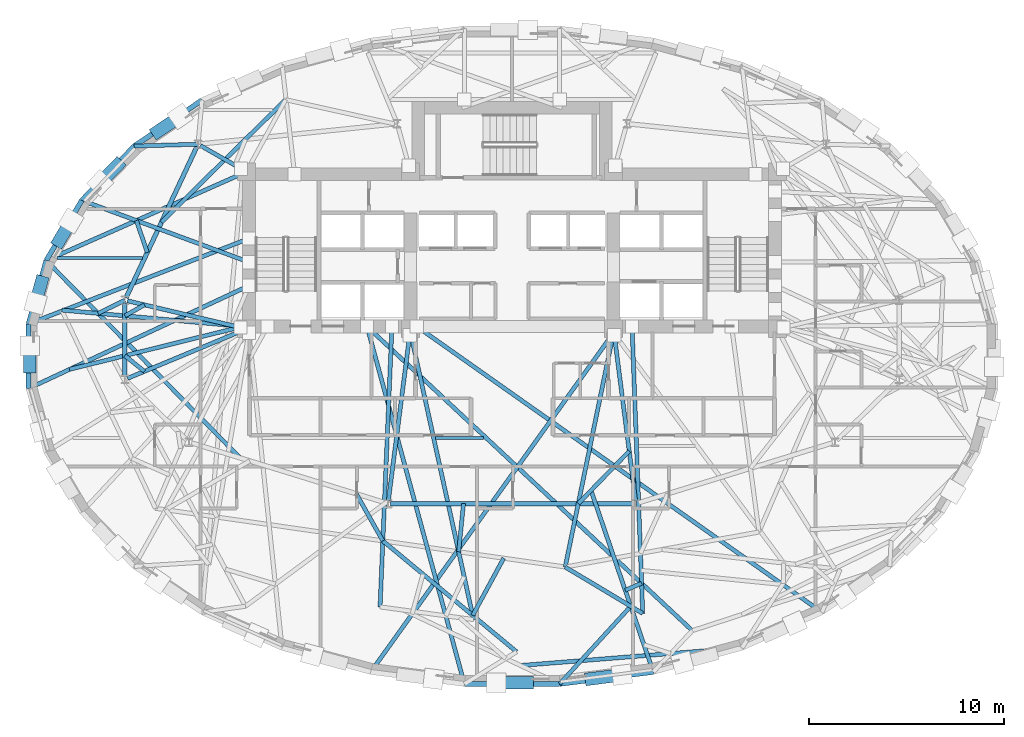
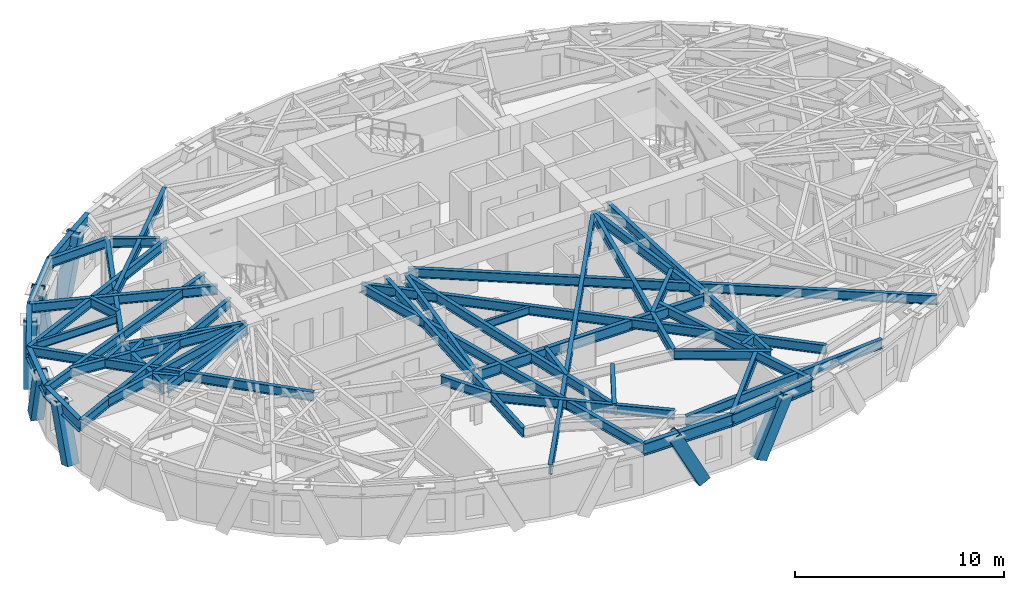
# One storey, part 2 of 15: 48 beams, 7 members.
"""IFC4 building model written with IfcOpenShell, lengths in metres."""

from ifc_helpers import new_model, si_unit, direction, frame, origin, origin_2d, place, context, subcontext, project, spatial, hollow_rectangle, i_section, extrude, material, material_profile, profile_set, type_object, element, save


model = new_model("IFC4")

# Units and contexts
model_context = context("Model", 3, precision=1e-05, world=origin(), true_north=direction((0.0, 1.0)))
body_context = subcontext(model_context, "Body", "Model", "MODEL_VIEW")
ifc_project = project(units=[si_unit("LENGTHUNIT", "METRE"), si_unit("AREAUNIT", "SQUARE_METRE"), si_unit("VOLUMEUNIT", "CUBIC_METRE"), si_unit("PLANEANGLEUNIT", "RADIAN"), si_unit("MASSUNIT", "GRAM", prefix="KILO")], contexts=[model_context])

# Site, building, storey
site_placement = place(None, origin())
site = spatial("IfcSite", under=ifc_project, at=site_placement, CompositionType="ELEMENT")
building_placement = place(site_placement, origin())
building = spatial("IfcBuilding", under=site, at=building_placement, Name="Keldmark Tower", CompositionType="ELEMENT")
storey_placement = place(building_placement, frame((0.0, 0.0, 159.800048828125)))
storey = spatial("IfcBuildingStorey", under=building, at=storey_placement, Name="L43", CompositionType="ELEMENT", Elevation=159.800048828125)

# Beams
ifc_material_1 = material(Name="Steel ASTM A992 Grade 50", Category="steel")
ifc_material_profile_1 = material_profile(ifc_material_1, i_section(OverallWidth=0.153076171875, OverallDepth=0.455078125, WebThickness=0.008056640625, FlangeThickness=0.01318359375, at=origin_2d()), Name="W18X40")
ifc_profile_set_1 = profile_set([ifc_material_profile_1], Name="Steel ASTM A992 Grade 50")
beam_type_1 = type_object("IfcBeamType", Name="Composite Floor Joist W18X40", PredefinedType="JOIST", material=ifc_profile_set_1)
beam_1_placement = place(storey_placement, frame((-3.917236328125, -4.179931640625, 2.79248046875), z_axis=(1.0, 0.0, 0.0), x_axis=(0.0, 1.0, 0.0)))
element("IfcBeam", 1, at=beam_1_placement, inside=storey, type_object=beam_type_1, Name="L43 Composite Floor Joist J03", PredefinedType="JOIST", context=body_context, shape_type="SweptSolid", body=[
    extrude(i_section(OverallWidth=0.153076171875, OverallDepth=0.455078125, WebThickness=0.008056640625, FlangeThickness=0.01318359375, at=origin_2d()), origin(), (0.0, 0.0, 1.0), 2.4501953125),
])
beam_2_placement = place(storey_placement, frame((-23.309326171875, 5.0400390625, 2.79248046875), z_axis=(1.0, 0.0, 0.0), x_axis=(0.0, 1.0, 0.0)))
element("IfcBeam", 2, at=beam_2_placement, inside=storey, type_object=beam_type_1, Name="L43 Composite Floor Joist J06", PredefinedType="JOIST", context=body_context, shape_type="SweptSolid", body=[
    extrude(i_section(OverallWidth=0.153076171875, OverallDepth=0.455078125, WebThickness=0.008056640625, FlangeThickness=0.01318359375, at=origin_2d()), origin(), (0.0, 0.0, 1.0), 4.381591796875),
])

# Members
ifc_material_2 = material(Name="Steel ASTM A572 Grade 50", Category="steel")
ifc_material_profile_2 = material_profile(ifc_material_2, hollow_rectangle(XDim=0.64990234375, YDim=0.64990234375, WallThickness=0.0400390625, at=origin_2d()), Name="BOX650X650X40")
ifc_profile_set_2 = profile_set([ifc_material_profile_2], Name="Steel ASTM A572 Grade 50")
member_type = type_object("IfcMemberType", Name="Diagrid Zone 3 Brace BOX650X650X40", PredefinedType="BRACE", material=ifc_profile_set_2)
member_1_placement = place(storey_placement, frame((-18.1552734375, 11.502197265625, -0.260009765625), z_axis=(0.334787205548, 0.226960005112, 0.914552722964), x_axis=(-0.56113396057, 0.827725001613, 0.0)))
element("IfcMember", 3, at=member_1_placement, inside=storey, type_object=member_type, Name="L43 Perimeter Diagrid Brace 06B", PredefinedType="BRACE", context=body_context, shape_type="SweptSolid", body=[
    extrude(hollow_rectangle(XDim=0.64990234375, YDim=0.64990234375, WallThickness=0.0400390625, at=origin_2d()), origin(), (0.0, 0.0, 1.0), 3.455078125),
])
member_2_placement = place(storey_placement, frame((-20.19921875, 9.7998046875, -0.260009765625), z_axis=(-0.262417053705, -0.271502922249, 0.925971626528), x_axis=(0.719035714481, -0.694973122718, 0.0)))
element("IfcMember", 4, at=member_2_placement, inside=storey, type_object=member_type, Name="L43 Perimeter Diagrid Brace 07A", PredefinedType="BRACE", context=body_context, shape_type="SweptSolid", body=[
    extrude(hollow_rectangle(XDim=0.64990234375, YDim=0.64990234375, WallThickness=0.0400390625, at=origin_2d()), origin(), (0.0, 0.0, 1.0), 3.41259765625),
])
member_3_placement = place(storey_placement, frame((-23.197265625, 5.90380859375, -0.260009765625), z_axis=(0.17963828579, 0.303830871297, 0.935637156127), x_axis=(-0.860800105218, 0.508943198065, 0.0)))
element("IfcMember", 5, at=member_3_placement, inside=storey, type_object=member_type, Name="L43 Perimeter Diagrid Brace 07B", PredefinedType="BRACE", context=body_context, shape_type="SweptSolid", body=[
    extrude(hollow_rectangle(XDim=0.64990234375, YDim=0.64990234375, WallThickness=0.0400390625, at=origin_2d()), origin(), (0.0, 0.0, 1.0), 3.377197265625),
])
member_4_placement = place(storey_placement, frame((-24.1025390625, 3.80419921875, -0.260009765625), z_axis=(-0.090323263856, -0.323154948847, 0.942025788947), x_axis=(0.963087821591, -0.269187384368, 0.0)))
element("IfcMember", 6, at=member_4_placement, inside=storey, type_object=member_type, Name="L43 Perimeter Diagrid Brace 08A", PredefinedType="BRACE", context=body_context, shape_type="SweptSolid", body=[
    extrude(hollow_rectangle(XDim=0.64990234375, YDim=0.64990234375, WallThickness=0.0400390625, at=origin_2d()), origin(), (0.0, 0.0, 1.0), 3.3544921875),
])
member_5_placement = place(storey_placement, frame((-24.706298828125, -0.55712890625, -0.260009765625), z_axis=(0.0, 0.329437190493, 0.944177492593), x_axis=(-1.0, 0.0, 0.0)))
element("IfcMember", 7, at=member_5_placement, inside=storey, type_object=member_type, Name="L43 Perimeter Diagrid Brace 08B", PredefinedType="BRACE", context=body_context, shape_type="SweptSolid", body=[
    extrude(hollow_rectangle(XDim=0.64990234375, YDim=0.64990234375, WallThickness=0.0400390625, at=origin_2d()), origin(), (0.0, 0.0, 1.0), 3.3466796875),
])
member_6_placement = place(storey_placement, frame((0.819091796875, -16.728515625, -0.260009765625), z_axis=(-0.457597906554, 0.0, 0.889159241035), x_axis=(0.0, -1.0, 0.0)))
element("IfcMember", 8, at=member_6_placement, inside=storey, type_object=member_type, Name="L43 Perimeter Diagrid Brace 12B", PredefinedType="BRACE", context=body_context, shape_type="SweptSolid", body=[
    extrude(hollow_rectangle(XDim=0.64990234375, YDim=0.64990234375, WallThickness=0.0400390625, at=origin_2d()), origin(), (0.0, 0.0, 1.0), 3.5537109375),
])
member_7_placement = place(storey_placement, frame((4.032470703125, -16.52294921875, -0.260009765625), z_axis=(0.450833688803, 0.057945651957, 0.890725146417), x_axis=(-0.127481315617, 0.991840972217, 0.0)))
element("IfcMember", 9, at=member_7_placement, inside=storey, type_object=member_type, Name="L43 Perimeter Diagrid Brace 13A", PredefinedType="BRACE", context=body_context, shape_type="SweptSolid", body=[
    extrude(hollow_rectangle(XDim=0.64990234375, YDim=0.64990234375, WallThickness=0.0400390625, at=origin_2d()), origin(), (0.0, 0.0, 1.0), 3.547607421875),
])

# Beams
ifc_material_3 = material(Name="Steel ASTM A992 Grade 50", Category="steel")
ifc_material_profile_3 = material_profile(ifc_material_3, i_section(OverallWidth=0.22900390625, OverallDepth=0.612060546875, WebThickness=0.011962890625, FlangeThickness=0.01953125, at=origin_2d()), Name="W24X84")
ifc_profile_set_3 = profile_set([ifc_material_profile_3], Name="Steel ASTM A992 Grade 50")
beam_type_2 = type_object("IfcBeamType", Name="Primary Floor Girder W24X84", PredefinedType="BEAM", material=ifc_profile_set_3)
beam_3_placement = place(storey_placement, frame((-16.140869140625, 10.734130859375, 2.7138671875), z_axis=(-0.424526823774, -0.905415360979, 0.0), x_axis=(0.905415360979, -0.424526823774, 0.0)))
element("IfcBeam", 10, at=beam_3_placement, inside=storey, type_object=beam_type_2, Name="L43 Floor Ring Girder FG-R05", PredefinedType="BEAM", context=body_context, shape_type="SweptSolid", body=[
    extrude(i_section(OverallWidth=0.22900390625, OverallDepth=0.612060546875, WebThickness=0.011962890625, FlangeThickness=0.01953125, at=origin_2d()), origin(), (0.0, 0.0, 1.0), 8.54638671875),
])
beam_4_placement = place(storey_placement, frame((-19.828369140625, 2.729248046875, 2.7138671875), z_axis=(0.0, -1.0, 0.0), x_axis=(1.0, 0.0, 0.0)))
element("IfcBeam", 11, at=beam_4_placement, inside=storey, type_object=beam_type_2, Name="L43 Floor Ring Girder FG-R06", PredefinedType="BEAM", context=body_context, shape_type="SweptSolid", body=[
    extrude(i_section(OverallWidth=0.22900390625, OverallDepth=0.612060546875, WebThickness=0.011962890625, FlangeThickness=0.01953125, at=origin_2d()), origin(), (0.0, 0.0, 1.0), 3.778564453125),
])
beam_5_placement = place(storey_placement, frame((-6.211181640625, -7.546142578125, 2.7138671875), z_axis=(1.0, 0.0, 0.0), x_axis=(0.0, 1.0, 0.0)))
element("IfcBeam", 12, at=beam_5_placement, inside=storey, type_object=beam_type_2, Name="L43 Floor Ring Girder FG-R09", PredefinedType="BEAM", context=body_context, shape_type="SweptSolid", body=[
    extrude(i_section(OverallWidth=0.22900390625, OverallDepth=0.612060546875, WebThickness=0.011962890625, FlangeThickness=0.01953125, at=origin_2d()), origin(), (0.0, 0.0, 1.0), 12.42236328125),
])
ifc_material_4 = material(Name="Steel ASTM A992 Grade 50", Category="steel")
ifc_material_profile_4 = material_profile(ifc_material_4, i_section(OverallWidth=0.2099609375, OverallDepth=0.537109375, WebThickness=0.010986328125, FlangeThickness=0.017333984375, at=origin_2d()), Name="W21X68")
ifc_profile_set_4 = profile_set([ifc_material_profile_4], Name="Steel ASTM A992 Grade 50")
beam_type_3 = type_object("IfcBeamType", Name="Radial Tie Girder W21X68", PredefinedType="BEAM", material=ifc_profile_set_4)
beam_6_placement = place(storey_placement, frame((-15.959716796875, 10.791748046875, 2.75146484375), z_axis=(0.86929527307, -0.494293160197, 0.0), x_axis=(0.494293160197, 0.86929527307, 0.0)))
element("IfcBeam", 13, at=beam_6_placement, inside=storey, type_object=beam_type_3, Name="L43 Floor Radial Girder FG-C05", PredefinedType="BEAM", context=body_context, shape_type="SweptSolid", body=[
    extrude(i_section(OverallWidth=0.2099609375, OverallDepth=0.537109375, WebThickness=0.010986328125, FlangeThickness=0.017333984375, at=origin_2d()), origin(), (0.0, 0.0, 1.0), 2.39453125),
])
beam_7_placement = place(storey_placement, frame((-19.692138671875, 2.837158203125, 2.75146484375), z_axis=(0.973280062348, -0.229621253887, 0.0), x_axis=(0.229621253887, 0.973280062348, 0.0)))
element("IfcBeam", 14, at=beam_7_placement, inside=storey, type_object=beam_type_3, Name="L43 Floor Radial Girder FG-C06", PredefinedType="BEAM", context=body_context, shape_type="SweptSolid", body=[
    extrude(i_section(OverallWidth=0.2099609375, OverallDepth=0.537109375, WebThickness=0.010986328125, FlangeThickness=0.017333984375, at=origin_2d()), origin(), (0.0, 0.0, 1.0), 5.939208984375),
])
beam_8_placement = place(storey_placement, frame((-19.69921875, -1.135498046875, 2.75146484375), z_axis=(0.923393794893, 0.383854008124, 0.0), x_axis=(-0.383854008124, 0.923393794893, 0.0)))
element("IfcBeam", 15, at=beam_8_placement, inside=storey, type_object=beam_type_3, Name="L43 Floor Radial Girder FG-C07", PredefinedType="BEAM", context=body_context, shape_type="SweptSolid", body=[
    extrude(i_section(OverallWidth=0.2099609375, OverallDepth=0.537109375, WebThickness=0.010986328125, FlangeThickness=0.017333984375, at=origin_2d()), origin(), (0.0, 0.0, 1.0), 6.28515625),
])
for number, where, z_axis, x_axis, name in (
    (16, (-6.333251953125, -7.4072265625, 2.75146484375), (0.127635577416, 0.991821132754, 0.0), (-0.991821132754, 0.127635577416, 0.0), "L43 Floor Radial Girder FG-C09"),
    (17, (6.333251953125, -7.4072265625, 2.75146484375), (-0.127635577416, 0.991821132754, 0.0), (-0.991821132754, -0.127635577416, 0.0), "L43 Floor Radial Girder FG-C10"),
):
    element("IfcBeam", number, at=place(storey_placement, frame(where, z_axis=z_axis, x_axis=x_axis)), inside=storey, type_object=beam_type_3, Name=name, PredefinedType="BEAM", context=body_context, shape_type="SweptSolid", body=[
        extrude(i_section(OverallWidth=0.2099609375, OverallDepth=0.537109375, WebThickness=0.010986328125, FlangeThickness=0.017333984375, at=origin_2d()), origin(), (0.0, 0.0, 1.0), 8.559814453125),
    ])
beam_9_placement = place(storey_placement, frame((-18.82861328125, -0.773681640625, 2.75146484375), z_axis=(-0.779288200564, 0.626665700722, 0.0), x_axis=(-0.626665700722, -0.779288200564, 0.0)))
element("IfcBeam", 18, at=beam_9_placement, inside=storey, type_object=beam_type_3, Name="L43 Framing Pin Header PH-001", PredefinedType="BEAM", context=body_context, shape_type="SweptSolid", body=[
    extrude(i_section(OverallWidth=0.2099609375, OverallDepth=0.537109375, WebThickness=0.010986328125, FlangeThickness=0.017333984375, at=origin_2d()), origin(), (0.0, 0.0, 1.0), 1.282958984375),
])
beam_10_placement = place(storey_placement, frame((-13.800048828125, 1.52490234375, 2.75146484375), z_axis=(-0.970610768192, -0.240654808118, 0.0), x_axis=(0.240654808118, -0.970610768192, 0.0)))
element("IfcBeam", 19, at=beam_10_placement, inside=storey, type_object=beam_type_3, Name="L43 Sub-Ring Step Girder STP1-M07", PredefinedType="BEAM", context=body_context, shape_type="SweptSolid", body=[
    extrude(i_section(OverallWidth=0.2099609375, OverallDepth=0.537109375, WebThickness=0.010986328125, FlangeThickness=0.017333984375, at=origin_2d()), origin(), (0.0, 0.0, 1.0), 9.134521484375),
])
beam_11_placement = place(storey_placement, frame((-18.824951171875, 2.632568359375, 2.75146484375), z_axis=(-0.872650802623, -0.488344731395, 0.0), x_axis=(0.488344731395, -0.872650802623, 0.0)))
element("IfcBeam", 20, at=beam_11_placement, inside=storey, type_object=beam_type_3, Name="L43 Framing Pin Header PH-005", PredefinedType="BEAM", context=body_context, shape_type="SweptSolid", body=[
    extrude(i_section(OverallWidth=0.2099609375, OverallDepth=0.537109375, WebThickness=0.010986328125, FlangeThickness=0.017333984375, at=origin_2d()), origin(), (0.0, 0.0, 1.0), 1.14990234375),
])
beam_12_placement = place(storey_placement, frame((-13.800048828125, 1.52490234375, 2.75146484375), z_axis=(-0.995920918617, 0.090230393222, 0.0), x_axis=(-0.090230393222, -0.995920918617, 0.0)))
element("IfcBeam", 21, at=beam_12_placement, inside=storey, type_object=beam_type_3, Name="L43 Sub-Ring Step Girder STP2-M07", PredefinedType="BEAM", context=body_context, shape_type="SweptSolid", body=[
    extrude(i_section(OverallWidth=0.2099609375, OverallDepth=0.537109375, WebThickness=0.010986328125, FlangeThickness=0.017333984375, at=origin_2d()), origin(), (0.0, 0.0, 1.0), 9.299560546875),
])
beam_13_placement = place(storey_placement, frame((6.005615234375, -4.8603515625, 2.75146484375), z_axis=(-0.697030922588, -0.717041067831, 0.0), x_axis=(0.717041067831, -0.697030922588, 0.0)))
element("IfcBeam", 22, at=beam_13_placement, inside=storey, type_object=beam_type_3, Name="L43 Framing Pin Header PH-007", PredefinedType="BEAM", context=body_context, shape_type="SweptSolid", body=[
    extrude(i_section(OverallWidth=0.2099609375, OverallDepth=0.537109375, WebThickness=0.010986328125, FlangeThickness=0.017333984375, at=origin_2d()), origin(), (0.0, 0.0, 1.0), 3.74560546875),
])
beam_14_placement = place(storey_placement, frame((5.199951171875, 1.199951171875, 2.75146484375), z_axis=(-0.202145542954, -0.979355491874, 0.0), x_axis=(0.979355491874, -0.202145542954, 0.0)))
element("IfcBeam", 23, at=beam_14_placement, inside=storey, type_object=beam_type_3, Name="L43 Sub-Ring Step Girder STP2-M10", PredefinedType="BEAM", context=body_context, shape_type="SweptSolid", body=[
    extrude(i_section(OverallWidth=0.2099609375, OverallDepth=0.537109375, WebThickness=0.010986328125, FlangeThickness=0.017333984375, at=origin_2d()), origin(), (0.0, 0.0, 1.0), 12.2490234375),
])
beam_15_placement = place(storey_placement, frame((-17.954833984375, 6.864990234375, 2.75146484375), z_axis=(0.711871580228, 0.702309656251, 0.0), x_axis=(-0.702309656251, 0.711871580228, 0.0)))
element("IfcBeam", 24, at=beam_15_placement, inside=storey, type_object=beam_type_3, Name="L43 Intermediate Radial Step Girder RT-11M", PredefinedType="BEAM", context=body_context, shape_type="SweptSolid", body=[
    extrude(i_section(OverallWidth=0.2099609375, OverallDepth=0.537109375, WebThickness=0.010986328125, FlangeThickness=0.017333984375, at=origin_2d()), origin(), (0.0, 0.0, 1.0), 8.9365234375),
])
beam_16_placement = place(storey_placement, frame((-16.08154296875, 10.861083984375, 2.75146484375), z_axis=(-0.999564975012, -0.029493401444, 0.0), x_axis=(0.029493401444, -0.999564975012, 0.0)))
element("IfcBeam", 25, at=beam_16_placement, inside=storey, type_object=beam_type_3, Name="L43 Perimeter Column Bracket RT-13", PredefinedType="BEAM", context=body_context, shape_type="SweptSolid", body=[
    extrude(i_section(OverallWidth=0.2099609375, OverallDepth=0.537109375, WebThickness=0.010986328125, FlangeThickness=0.017333984375, at=origin_2d()), origin(), (0.0, 0.0, 1.0), 3.269775390625),
])
beam_17_placement = place(storey_placement, frame((-19.828369140625, 2.869140625, 2.75146484375), z_axis=(-0.896879571725, -0.44227483969, 0.0), x_axis=(0.44227483969, -0.896879571725, 0.0)))
element("IfcBeam", 26, at=beam_17_placement, inside=storey, type_object=beam_type_3, Name="L43 Framing Pin Header PH-014", PredefinedType="BEAM", context=body_context, shape_type="SweptSolid", body=[
    extrude(i_section(OverallWidth=0.2099609375, OverallDepth=0.537109375, WebThickness=0.010986328125, FlangeThickness=0.017333984375, at=origin_2d()), origin(), (0.0, 0.0, 1.0), 1.524658203125),
])
beam_18_placement = place(storey_placement, frame((-13.930908203125, -5.2060546875, 2.75146484375), z_axis=(-0.700520370679, 0.713632405559, 0.0), x_axis=(-0.713632405559, -0.700520370679, 0.0)))
element("IfcBeam", 27, at=beam_18_placement, inside=storey, type_object=beam_type_3, Name="L43 Perimeter Radial Tie Girder RT-15", PredefinedType="BEAM", context=body_context, shape_type="SweptSolid", body=[
    extrude(i_section(OverallWidth=0.2099609375, OverallDepth=0.537109375, WebThickness=0.010986328125, FlangeThickness=0.017333984375, at=origin_2d()), origin(), (0.0, 0.0, 1.0), 14.16943359375),
])
beam_19_placement = place(storey_placement, frame((-13.47509765625, 6.028564453125, 2.75146484375), z_axis=(-0.932448937032, -0.361301784977, 0.0), x_axis=(0.361301784977, -0.932448937032, 0.0)))
element("IfcBeam", 28, at=beam_19_placement, inside=storey, type_object=beam_type_3, Name="L43 Perimeter Radial Tie Girder RT-16", PredefinedType="BEAM", context=body_context, shape_type="SweptSolid", body=[
    extrude(i_section(OverallWidth=0.2099609375, OverallDepth=0.537109375, WebThickness=0.010986328125, FlangeThickness=0.017333984375, at=origin_2d()), origin(), (0.0, 0.0, 1.0), 12.10888671875),
])
beam_20_placement = place(storey_placement, frame((-13.47509765625, 3.6142578125, 2.75146484375), z_axis=(-0.906223684344, -0.422798573713, 0.0), x_axis=(0.422798573713, -0.906223684344, 0.0)))
element("IfcBeam", 29, at=beam_20_placement, inside=storey, type_object=beam_type_3, Name="L43 Perimeter Radial Tie Girder RT-17", PredefinedType="BEAM", context=body_context, shape_type="SweptSolid", body=[
    extrude(i_section(OverallWidth=0.2099609375, OverallDepth=0.537109375, WebThickness=0.010986328125, FlangeThickness=0.017333984375, at=origin_2d()), origin(), (0.0, 0.0, 1.0), 12.45947265625),
])
beam_21_placement = place(storey_placement, frame((-7.97412109375, -7.045166015625, 2.75146484375), z_axis=(0.49069663956, -0.871330481462, 0.0), x_axis=(0.871330481462, 0.49069663956, 0.0)))
element("IfcBeam", 30, at=beam_21_placement, inside=storey, type_object=beam_type_3, Name="L43 Framing Pin Header PH-021", PredefinedType="BEAM", context=body_context, shape_type="SweptSolid", body=[
    extrude(i_section(OverallWidth=0.2099609375, OverallDepth=0.537109375, WebThickness=0.010986328125, FlangeThickness=0.017333984375, at=origin_2d()), origin(), (0.0, 0.0, 1.0), 2.768310546875),
])
beam_22_placement = place(storey_placement, frame((-6.14990234375, 1.52490234375, 2.75146484375), z_axis=(-0.042370807986, -0.999101954072, 0.0), x_axis=(0.999101954072, -0.042370807986, 0.0)))
element("IfcBeam", 31, at=beam_22_placement, inside=storey, type_object=beam_type_3, Name="L43 Intermediate Radial Step Girder RT-23M", PredefinedType="BEAM", context=body_context, shape_type="SweptSolid", body=[
    extrude(i_section(OverallWidth=0.2099609375, OverallDepth=0.537109375, WebThickness=0.010986328125, FlangeThickness=0.017333984375, at=origin_2d()), origin(), (0.0, 0.0, 1.0), 14.376220703125),
])
beam_23_placement = place(storey_placement, frame((-2.484619140625, -7.546142578125, 2.75146484375), z_axis=(-0.099513464633, -0.995036215601, 0.0), x_axis=(0.995036215601, -0.099513464633, 0.0)))
element("IfcBeam", 32, at=beam_23_placement, inside=storey, type_object=beam_type_3, Name="L43 Framing Pin Header PH-022", PredefinedType="BEAM", context=body_context, shape_type="SweptSolid", body=[
    extrude(i_section(OverallWidth=0.2099609375, OverallDepth=0.537109375, WebThickness=0.010986328125, FlangeThickness=0.017333984375, at=origin_2d()), origin(), (0.0, 0.0, 1.0), 2.480224609375),
])
beam_24_placement = place(storey_placement, frame((-5.199951171875, 1.199951171875, 2.75146484375), z_axis=(0.214982849645, -0.976617824105, 0.0), x_axis=(0.976617824105, 0.214982849645, 0.0)))
element("IfcBeam", 33, at=beam_24_placement, inside=storey, type_object=beam_type_3, Name="L43 Intermediate Radial Step Girder RT-24M", PredefinedType="BEAM", context=body_context, shape_type="SweptSolid", body=[
    extrude(i_section(OverallWidth=0.2099609375, OverallDepth=0.537109375, WebThickness=0.010986328125, FlangeThickness=0.017333984375, at=origin_2d()), origin(), (0.0, 0.0, 1.0), 15.04150390625),
])
beam_25_placement = place(storey_placement, frame((-7.425048828125, 1.52490234375, 2.75146484375), z_axis=(0.262695067336, -0.964878905147, 0.0), x_axis=(0.964878905147, 0.262695067336, 0.0)))
element("IfcBeam", 34, at=beam_25_placement, inside=storey, type_object=beam_type_3, Name="L43 Perimeter Radial Tie Girder RT-24", PredefinedType="BEAM", context=body_context, shape_type="SweptSolid", body=[
    extrude(i_section(OverallWidth=0.2099609375, OverallDepth=0.537109375, WebThickness=0.010986328125, FlangeThickness=0.017333984375, at=origin_2d()), origin(), (0.0, 0.0, 1.0), 18.9794921875),
])
beam_26_placement = place(storey_placement, frame((-0.42431640625, -10.3447265625, 2.75146484375), z_axis=(-0.477146839021, -0.878823585261, 0.0), x_axis=(0.878823585261, -0.477146839021, 0.0)))
element("IfcBeam", 35, at=beam_26_placement, inside=storey, type_object=beam_type_3, Name="L43 Framing Pin Header PH-024", PredefinedType="BEAM", context=body_context, shape_type="SweptSolid", body=[
    extrude(i_section(OverallWidth=0.2099609375, OverallDepth=0.537109375, WebThickness=0.010986328125, FlangeThickness=0.017333984375, at=origin_2d()), origin(), (0.0, 0.0, 1.0), 3.33203125),
])
beam_27_placement = place(storey_placement, frame((-6.61572265625, -9.457275390625, 2.75146484375), z_axis=(0.769788200668, -0.638299401623, 0.0), x_axis=(0.638299401623, 0.769788200668, 0.0)))
element("IfcBeam", 36, at=beam_27_placement, inside=storey, type_object=beam_type_3, Name="L43 Intermediate Radial Step Girder RT-25M", PredefinedType="BEAM", context=body_context, shape_type="SweptSolid", body=[
    extrude(i_section(OverallWidth=0.2099609375, OverallDepth=0.537109375, WebThickness=0.010986328125, FlangeThickness=0.017333984375, at=origin_2d()), origin(), (0.0, 0.0, 1.0), 8.901123046875),
])
beam_28_placement = place(storey_placement, frame((6.14990234375, 1.52490234375, 2.75146484375), z_axis=(0.037079802935, -0.999312307647, 0.0), x_axis=(0.999312307647, 0.037079802935, 0.0)))
element("IfcBeam", 37, at=beam_28_placement, inside=storey, type_object=beam_type_3, Name="L43 Intermediate Radial Step Girder RT-26M", PredefinedType="BEAM", context=body_context, shape_type="SweptSolid", body=[
    extrude(i_section(OverallWidth=0.2099609375, OverallDepth=0.537109375, WebThickness=0.010986328125, FlangeThickness=0.017333984375, at=origin_2d()), origin(), (0.0, 0.0, 1.0), 14.708984375),
])
beam_29_placement = place(storey_placement, frame((2.723876953125, -10.796142578125, 2.75146484375), z_axis=(0.857962596816, -0.513712159156, 0.0), x_axis=(0.513712159156, 0.857962596816, 0.0)))
element("IfcBeam", 38, at=beam_29_placement, inside=storey, type_object=beam_type_3, Name="L43 Local Collector Chord RT-26C", PredefinedType="BEAM", context=body_context, shape_type="SweptSolid", body=[
    extrude(i_section(OverallWidth=0.2099609375, OverallDepth=0.537109375, WebThickness=0.010986328125, FlangeThickness=0.017333984375, at=origin_2d()), origin(), (0.0, 0.0, 1.0), 4.62890625),
])
beam_30_placement = place(storey_placement, frame((2.439208984375, -16.7880859375, 2.75146484375), z_axis=(0.675130301836, 0.737698499078, 0.0), x_axis=(-0.737698499078, 0.675130301836, 0.0)))
element("IfcBeam", 39, at=beam_30_placement, inside=storey, type_object=beam_type_3, Name="L43 Framing Pin Header PH-027", PredefinedType="BEAM", context=body_context, shape_type="SweptSolid", body=[
    extrude(i_section(OverallWidth=0.2099609375, OverallDepth=0.537109375, WebThickness=0.010986328125, FlangeThickness=0.017333984375, at=origin_2d()), origin(), (0.0, 0.0, 1.0), 5.396484375),
])
beam_31_placement = place(storey_placement, frame((4.04736328125, -6.87451171875, 2.75146484375), z_axis=(0.324486883969, -0.9458901956, 0.0), x_axis=(0.9458901956, 0.324486883969, 0.0)))
element("IfcBeam", 40, at=beam_31_placement, inside=storey, type_object=beam_type_3, Name="L43 Perimeter Radial Tie Girder RT-26", PredefinedType="BEAM", context=body_context, shape_type="SweptSolid", body=[
    extrude(i_section(OverallWidth=0.2099609375, OverallDepth=0.537109375, WebThickness=0.010986328125, FlangeThickness=0.017333984375, at=origin_2d()), origin(), (0.0, 0.0, 1.0), 9.8291015625),
])
beam_32_placement = place(storey_placement, frame((5.801513671875, -11.988037109375, 2.75146484375), z_axis=(0.917516539178, 0.39769762425, 0.0), x_axis=(-0.39769762425, 0.917516539178, 0.0)))
element("IfcBeam", 41, at=beam_32_placement, inside=storey, type_object=beam_type_3, Name="L43 Framing Pin Header PH-028", PredefinedType="BEAM", context=body_context, shape_type="SweptSolid", body=[
    extrude(i_section(OverallWidth=0.2099609375, OverallDepth=0.537109375, WebThickness=0.010986328125, FlangeThickness=0.017333984375, at=origin_2d()), origin(), (0.0, 0.0, 1.0), 0.91162109375),
])
beam_33_placement = place(storey_placement, frame((-7.425048828125, 1.52490234375, 2.75146484375), z_axis=(0.730404363647, -0.683014981948, 0.0), x_axis=(0.683014981948, 0.730404363647, 0.0)))
element("IfcBeam", 42, at=beam_33_placement, inside=storey, type_object=beam_type_3, Name="L43 Intermediate Radial Step Girder RT-27M", PredefinedType="BEAM", context=body_context, shape_type="SweptSolid", body=[
    extrude(i_section(OverallWidth=0.2099609375, OverallDepth=0.537109375, WebThickness=0.010986328125, FlangeThickness=0.017333984375, at=origin_2d()), origin(), (0.0, 0.0, 1.0), 22.812255859375),
])
beam_34_placement = place(storey_placement, frame((0.439208984375, -15.84130859375, 2.75146484375), z_axis=(0.996842108997, 0.079409128755, 0.0), x_axis=(-0.079409128755, 0.996842108997, 0.0)))
element("IfcBeam", 43, at=beam_34_placement, inside=storey, type_object=beam_type_3, Name="L43 Perimeter Radial Tie Girder RT-27", PredefinedType="BEAM", context=body_context, shape_type="SweptSolid", body=[
    extrude(i_section(OverallWidth=0.2099609375, OverallDepth=0.537109375, WebThickness=0.010986328125, FlangeThickness=0.017333984375, at=origin_2d()), origin(), (0.0, 0.0, 1.0), 11.37548828125),
])
beam_35_placement = place(storey_placement, frame((-4.875, 1.52490234375, 2.75146484375), z_axis=(0.817132986975, -0.576449201229, 0.0), x_axis=(0.576449201229, 0.817132986975, 0.0)))
element("IfcBeam", 44, at=beam_35_placement, inside=storey, type_object=beam_type_3, Name="L43 Perimeter Radial Tie Girder RT-28", PredefinedType="BEAM", context=body_context, shape_type="SweptSolid", body=[
    extrude(i_section(OverallWidth=0.2099609375, OverallDepth=0.537109375, WebThickness=0.010986328125, FlangeThickness=0.017333984375, at=origin_2d()), origin(), (0.0, 0.0, 1.0), 25.399658203125),
])
beam_36_placement = place(storey_placement, frame((-13.60009765625, 9.449951171875, 2.75146484375), z_axis=(-0.914287451724, -0.405065989216, 0.0), x_axis=(0.405065989216, -0.914287451724, 0.0)))
element("IfcBeam", 45, at=beam_36_placement, inside=storey, type_object=beam_type_3, Name="L43 Straddling Support Chord RT-14RB", PredefinedType="BEAM", context=body_context, shape_type="SweptSolid", body=[
    extrude(i_section(OverallWidth=0.2099609375, OverallDepth=0.537109375, WebThickness=0.010986328125, FlangeThickness=0.017333984375, at=origin_2d()), origin(), (0.0, 0.0, 1.0), 11.218505859375),
])
beam_37_placement = place(storey_placement, frame((-18.6806640625, 5.3173828125, 2.75146484375), z_axis=(-0.323850853624, 0.946108146359, 0.0), x_axis=(-0.946108146359, -0.323850853624, 0.0)))
element("IfcBeam", 46, at=beam_37_placement, inside=storey, type_object=beam_type_3, Name="L43 Framing Pin Header PH-039", PredefinedType="BEAM", context=body_context, shape_type="SweptSolid", body=[
    extrude(i_section(OverallWidth=0.2099609375, OverallDepth=0.537109375, WebThickness=0.010986328125, FlangeThickness=0.017333984375, at=origin_2d()), origin(), (0.0, 0.0, 1.0), 1.72705078125),
])
beam_38_placement = place(storey_placement, frame((-13.47509765625, 4.8212890625, 2.75146484375), z_axis=(-0.938023045306, 0.346572887679, 0.0), x_axis=(-0.346572887679, -0.938023045306, 0.0)))
element("IfcBeam", 47, at=beam_38_placement, inside=storey, type_object=beam_type_3, Name="L43 Perimeter Radial Tie Girder RT-14R", PredefinedType="BEAM", context=body_context, shape_type="SweptSolid", body=[
    extrude(i_section(OverallWidth=0.2099609375, OverallDepth=0.537109375, WebThickness=0.010986328125, FlangeThickness=0.017333984375, at=origin_2d()), origin(), (0.0, 0.0, 1.0), 9.12744140625),
])
beam_39_placement = place(storey_placement, frame((5.199951171875, 1.199951171875, 2.75146484375), z_axis=(-0.582115591998, -0.813106043239, 0.0), x_axis=(0.813106043239, -0.582115591998, 0.0)))
element("IfcBeam", 48, at=beam_39_placement, inside=storey, type_object=beam_type_3, Name="L43 Perimeter Radial Tie Girder RT-23R", PredefinedType="BEAM", context=body_context, shape_type="SweptSolid", body=[
    extrude(i_section(OverallWidth=0.2099609375, OverallDepth=0.537109375, WebThickness=0.010986328125, FlangeThickness=0.017333984375, at=origin_2d()), origin(), (0.0, 0.0, 1.0), 21.36474609375),
])
ifc_material_5 = material(Name="Steel ASTM A992 Grade 50", Category="steel")
ifc_material_profile_5 = material_profile(ifc_material_5, i_section(OverallWidth=0.256103515625, OverallDepth=0.693115234375, WebThickness=0.014404296875, FlangeThickness=0.023681640625, at=origin_2d()), Name="W27X114")
ifc_profile_set_5 = profile_set([ifc_material_profile_5], Name="Steel ASTM A992 Grade 50")
beam_type_4 = type_object("IfcBeamType", Name="Spandrel Ring Beam W27X114", PredefinedType="SPANDREL", material=ifc_profile_set_5)
beam_40_placement = place(storey_placement, frame((-15.8798828125, 13.11669921875, 2.67333984375), z_axis=(-0.827760762475, -0.561081206338, 0.0), x_axis=(0.561081206338, -0.827760762475, 0.0)))
element("IfcBeam", 49, at=beam_40_placement, inside=storey, type_object=beam_type_4, Name="L43 Perimeter Spandrel Ring Beam SRB-12", PredefinedType="SPANDREL", context=body_context, shape_type="SweptSolid", body=[
    extrude(i_section(OverallWidth=0.256103515625, OverallDepth=0.693115234375, WebThickness=0.014404296875, FlangeThickness=0.023681640625, at=origin_2d()), origin(), (0.0, 0.0, 1.0), 4.19189453125),
])
beam_41_placement = place(storey_placement, frame((-19.349853515625, 10.7646484375, 2.67333984375), z_axis=(-0.694975307772, -0.719033602544, 0.0), x_axis=(0.719033602544, -0.694975307772, 0.0)))
element("IfcBeam", 50, at=beam_41_placement, inside=storey, type_object=beam_type_4, Name="L43 Perimeter Spandrel Ring Beam SRB-13", PredefinedType="SPANDREL", context=body_context, shape_type="SweptSolid", body=[
    extrude(i_section(OverallWidth=0.256103515625, OverallDepth=0.693115234375, WebThickness=0.014404296875, FlangeThickness=0.023681640625, at=origin_2d()), origin(), (0.0, 0.0, 1.0), 3.866455078125),
])
beam_42_placement = place(storey_placement, frame((-22.036865234375, 7.984619140625, 2.67333984375), z_axis=(-0.508883387051, -0.860835465338, 0.0), x_axis=(0.860835465338, -0.508883387051, 0.0)))
element("IfcBeam", 51, at=beam_42_placement, inside=storey, type_object=beam_type_4, Name="L43 Perimeter Spandrel Ring Beam SRB-14", PredefinedType="SPANDREL", context=body_context, shape_type="SweptSolid", body=[
    extrude(i_section(OverallWidth=0.256103515625, OverallDepth=0.693115234375, WebThickness=0.014404296875, FlangeThickness=0.023681640625, at=origin_2d()), origin(), (0.0, 0.0, 1.0), 3.57666015625),
])
beam_43_placement = place(storey_placement, frame((-23.85693359375, 4.90576171875, 2.67333984375), z_axis=(-0.269235699479, -0.963074315993, 0.0), x_axis=(0.963074315993, -0.269235699479, 0.0)))
element("IfcBeam", 52, at=beam_43_placement, inside=storey, type_object=beam_type_4, Name="L43 Perimeter Spandrel Ring Beam SRB-15", PredefinedType="SPANDREL", context=body_context, shape_type="SweptSolid", body=[
    extrude(i_section(OverallWidth=0.256103515625, OverallDepth=0.693115234375, WebThickness=0.014404296875, FlangeThickness=0.023681640625, at=origin_2d()), origin(), (0.0, 0.0, 1.0), 3.376953125),
])
beam_44_placement = place(storey_placement, frame((-24.76611328125, 1.653564453125, 2.67333984375), z_axis=(0.0, -1.0, 0.0), x_axis=(1.0, 0.0, 0.0)))
element("IfcBeam", 53, at=beam_44_placement, inside=storey, type_object=beam_type_4, Name="L43 Perimeter Spandrel Ring Beam SRB-16", PredefinedType="SPANDREL", context=body_context, shape_type="SweptSolid", body=[
    extrude(i_section(OverallWidth=0.256103515625, OverallDepth=0.693115234375, WebThickness=0.014404296875, FlangeThickness=0.023681640625, at=origin_2d()), origin(), (0.0, 0.0, 1.0), 3.30712890625),
])
beam_45_placement = place(storey_placement, frame((-2.439208984375, -16.7880859375, 2.67333984375), z_axis=(1.0, 0.0, 0.0), x_axis=(0.0, 1.0, 0.0)))
element("IfcBeam", 54, at=beam_45_placement, inside=storey, type_object=beam_type_4, Name="L43 Perimeter Spandrel Ring Beam SRB-24", PredefinedType="SPANDREL", context=body_context, shape_type="SweptSolid", body=[
    extrude(i_section(OverallWidth=0.256103515625, OverallDepth=0.693115234375, WebThickness=0.014404296875, FlangeThickness=0.023681640625, at=origin_2d()), origin(), (0.0, 0.0, 1.0), 4.87841796875),
])
beam_46_placement = place(storey_placement, frame((2.439208984375, -16.7880859375, 2.67333984375), z_axis=(0.991852091732, 0.127394772761, 0.0), x_axis=(-0.127394772761, 0.991852091732, 0.0)))
element("IfcBeam", 55, at=beam_46_placement, inside=storey, type_object=beam_type_4, Name="L43 Perimeter Spandrel Ring Beam SRB-25", PredefinedType="SPANDREL", context=body_context, shape_type="SweptSolid", body=[
    extrude(i_section(OverallWidth=0.256103515625, OverallDepth=0.693115234375, WebThickness=0.014404296875, FlangeThickness=0.023681640625, at=origin_2d()), origin(), (0.0, 0.0, 1.0), 4.8369140625),
])

save(model, "model.ifc")
